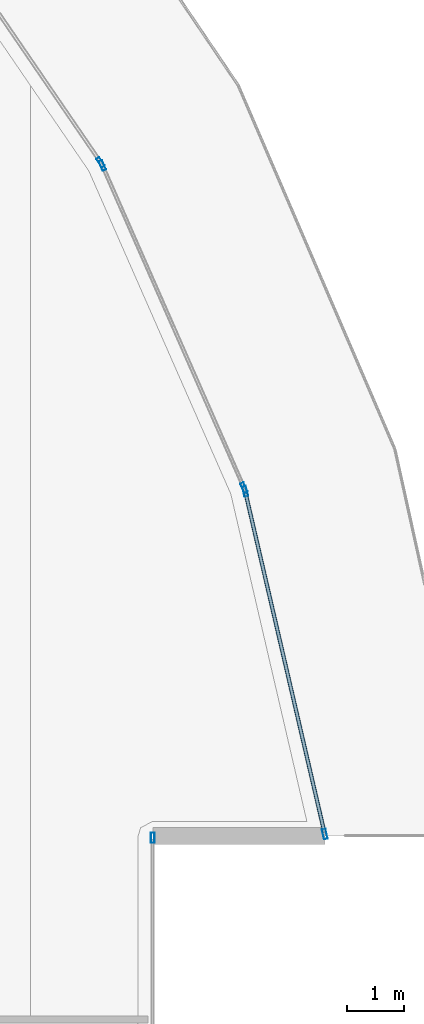
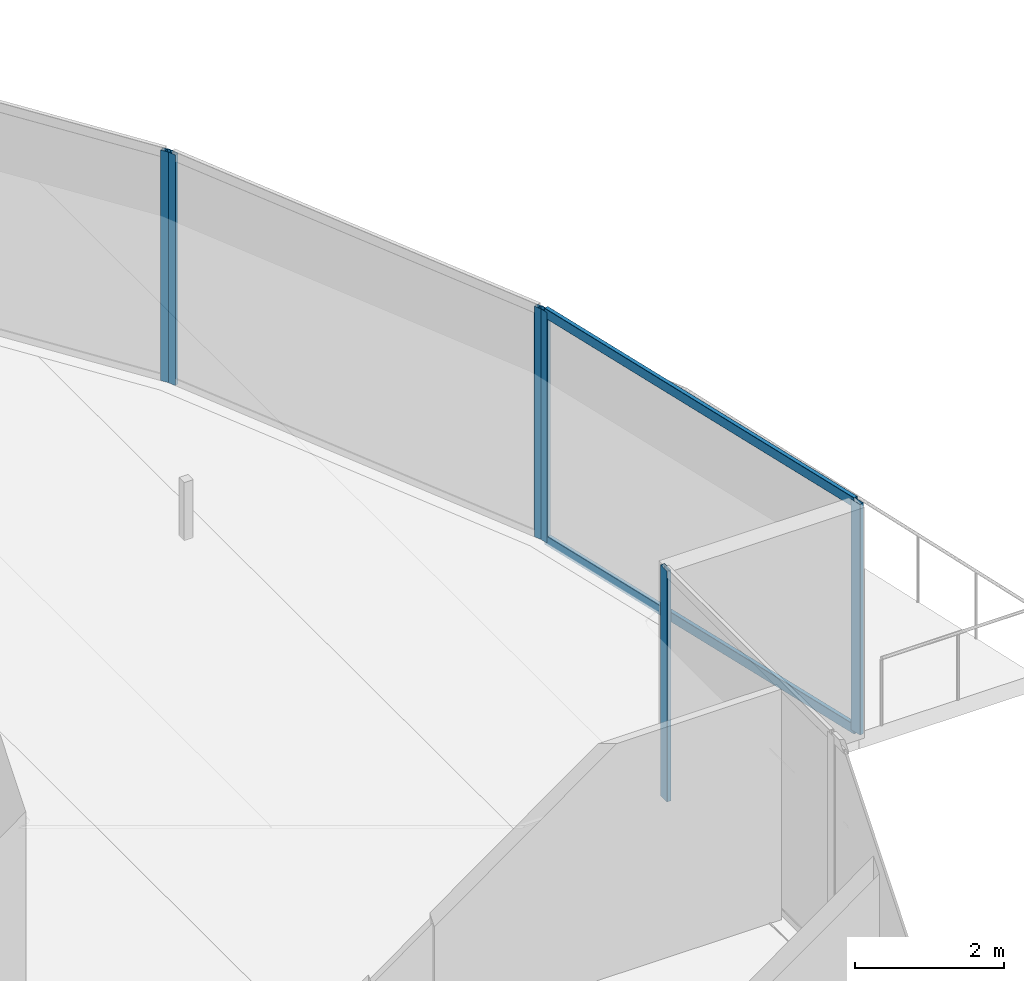
# One storey, part 20 of 39: 8 members, 4 elements without a shape of their own.
"""IFC4 building model written with IfcOpenShell, lengths in metres."""

from ifc_helpers import new_model, si_unit, direction, frame, origin, origin_2d, place, context, subcontext, project, spatial, hollow_rectangle, extrude, material, layer, layer_set, material_profile, profile_set, type_object, element, aggregate, save


model = new_model("IFC4")

# Units and contexts
model_context = context("Model", 3, precision=1e-05, world=origin(), true_north=direction((0.0, 1.0)))
body_context = subcontext(model_context, "Body", "Model", "MODEL_VIEW")
ifc_project = project(units=[si_unit("LENGTHUNIT", "METRE"), si_unit("AREAUNIT", "SQUARE_METRE"), si_unit("VOLUMEUNIT", "CUBIC_METRE"), si_unit("PLANEANGLEUNIT", "RADIAN"), si_unit("MASSUNIT", "GRAM", prefix="KILO")], contexts=[model_context])

# Site, building, storey
site_placement = place(None, origin())
site = spatial("IfcSite", under=ifc_project, at=site_placement, CompositionType="ELEMENT")
building_placement = place(site_placement, origin())
building = spatial("IfcBuilding", under=site, at=building_placement, Name="Qorvath Tower", CompositionType="ELEMENT")
storey_placement = place(building_placement, frame((0.0, 0.0, 201.0)))
storey = spatial("IfcBuildingStorey", under=building, at=storey_placement, Name="L46", CompositionType="ELEMENT", Elevation=201.0)

# Curtain wall, member
ifc_material_1 = material(Name="Anodised aluminium and triple low-E glass", Category="aluminium")
ifc_layer = layer(ifc_material_1, 0.179931640625)
ifc_layer_set = layer_set([ifc_layer], Name="CW-SYS-3")
curtain_wall_type = type_object("IfcCurtainWallType", Name="CW-SYS-3", PredefinedType="NOTDEFINED", material=ifc_layer_set)
curtain_wall_1_placement = place(storey_placement, origin())
curtain_wall_1 = element("IfcCurtainWall", 1, at=curtain_wall_1_placement, inside=storey, type_object=curtain_wall_type, Name="Curtain Wall CW-3 CW-T-L46-9.1", PredefinedType="NOTDEFINED")
ifc_material_2 = material(Name="Anodised aluminium 6063-T6", Category="aluminium")
ifc_material_profile_1 = material_profile(ifc_material_2, hollow_rectangle(XDim=0.06494140625, YDim=0.179931640625, WallThickness=0.00341796875, InnerFilletRadius=0.00341796875, OuterFilletRadius=0.007080078125, at=origin_2d()), Name="CWM 180x65")
ifc_profile_set_1 = profile_set([ifc_material_profile_1], Name="Anodised aluminium 6063-T6")
member_type_1 = type_object("IfcMemberType", Name="CWM-180", PredefinedType="MULLION", material=ifc_profile_set_1)
member_1_placement = place(storey_placement, frame((-1.3291015625, 4.4873046875, 0.0), z_axis=(0.0, 0.0, 1.0), x_axis=(-1.0, 0.0, 0.0)))
member_1 = element("IfcMember", 2, at=member_1_placement, type_object=member_type_1, Name="CW-3 mullion 3", PredefinedType="MULLION", context=body_context, shape_type="SweptSolid", body=[
    extrude(hollow_rectangle(XDim=0.06494140625, YDim=0.179931640625, WallThickness=0.00341796875, InnerFilletRadius=0.00341796875, OuterFilletRadius=0.007080078125, at=origin_2d()), origin(), (0.0, 0.0, 1.0), 3.780029296875),
])
aggregate(curtain_wall_1, [member_1])

# Curtain wall, members
curtain_wall_2_placement = place(storey_placement, origin())
curtain_wall_2 = element("IfcCurtainWall", 3, at=curtain_wall_2_placement, inside=storey, type_object=curtain_wall_type, Name="Curtain Wall CW-3 CW-T-L46-11.1", PredefinedType="NOTDEFINED")
member_2_placement = place(storey_placement, frame((1.6767578125, 4.551513671875, 0.0), z_axis=(0.0, 0.0, 1.0), x_axis=(-0.974064216624, -0.226271743469, 0.0)))
member_2 = element("IfcMember", 4, at=member_2_placement, type_object=member_type_1, Name="CW-3 mullion 1", PredefinedType="MULLION", context=body_context, shape_type="SweptSolid", body=[
    extrude(hollow_rectangle(XDim=0.06494140625, YDim=0.179931640625, WallThickness=0.00341796875, InnerFilletRadius=0.00341796875, OuterFilletRadius=0.007080078125, at=origin_2d()), origin(), (0.0, 0.0, 1.0), 3.780029296875),
])
member_3_placement = place(storey_placement, frame((0.28515625, 10.5419921875, 0.0), z_axis=(0.0, 0.0, 1.0), x_axis=(-0.974064216624, -0.226271743469, 0.0)))
member_3 = element("IfcMember", 5, at=member_3_placement, type_object=member_type_1, Name="CW-3 mullion 2", PredefinedType="MULLION", context=body_context, shape_type="SweptSolid", body=[
    extrude(hollow_rectangle(XDim=0.06494140625, YDim=0.179931640625, WallThickness=0.00341796875, InnerFilletRadius=0.00341796875, OuterFilletRadius=0.007080078125, at=origin_2d()), origin(), (0.0, 0.0, 1.0), 3.780029296875),
])

curtain_wall_3_placement = place(storey_placement, origin())
curtain_wall_3 = element("IfcCurtainWall", 6, at=curtain_wall_3_placement, inside=storey, type_object=curtain_wall_type, Name="Curtain Wall CW-3 CW-T-L46-12.1", PredefinedType="NOTDEFINED")
member_4_placement = place(storey_placement, frame((0.2646484375, 10.603515625, 0.0), z_axis=(0.0, 0.0, 1.0), x_axis=(-0.915498802884, -0.402320695364, 0.0)))
member_4 = element("IfcMember", 7, at=member_4_placement, type_object=member_type_1, Name="CW-3 mullion 1", PredefinedType="MULLION", context=body_context, shape_type="SweptSolid", body=[
    extrude(hollow_rectangle(XDim=0.06494140625, YDim=0.179931640625, WallThickness=0.00341796875, InnerFilletRadius=0.00341796875, OuterFilletRadius=0.007080078125, at=origin_2d()), origin(), (0.0, 0.0, 1.0), 3.780029296875),
])
member_5_placement = place(storey_placement, frame((-2.209716796875, 16.23388671875, 0.0), z_axis=(0.0, 0.0, 1.0), x_axis=(-0.915498802884, -0.402320695364, 0.0)))
member_5 = element("IfcMember", 8, at=member_5_placement, type_object=member_type_1, Name="CW-3 mullion 2", PredefinedType="MULLION", context=body_context, shape_type="SweptSolid", body=[
    extrude(hollow_rectangle(XDim=0.06494140625, YDim=0.179931640625, WallThickness=0.00341796875, InnerFilletRadius=0.00341796875, OuterFilletRadius=0.007080078125, at=origin_2d()), origin(), (0.0, 0.0, 1.0), 3.780029296875),
])
aggregate(curtain_wall_3, [member_4, member_5])

# Curtain wall, member
curtain_wall_4_placement = place(storey_placement, origin())
curtain_wall_4 = element("IfcCurtainWall", 9, at=curtain_wall_4_placement, inside=storey, type_object=curtain_wall_type, Name="Curtain Wall CW-3 CW-T-L46-13.1", PredefinedType="NOTDEFINED")
member_6_placement = place(storey_placement, frame((-2.240966796875, 16.29052734375, 0.0), z_axis=(0.0, 0.0, 1.0), x_axis=(-0.825424850974, -0.56451201528, 0.0)))
member_6 = element("IfcMember", 10, at=member_6_placement, type_object=member_type_1, Name="CW-3 mullion 1", PredefinedType="MULLION", context=body_context, shape_type="SweptSolid", body=[
    extrude(hollow_rectangle(XDim=0.06494140625, YDim=0.179931640625, WallThickness=0.00341796875, InnerFilletRadius=0.00341796875, OuterFilletRadius=0.007080078125, at=origin_2d()), origin(), (0.0, 0.0, 1.0), 3.780029296875),
])
aggregate(curtain_wall_4, [member_6])

# Member
ifc_material_3 = material(Name="Anodised aluminium 6063-T6", Category="aluminium")
ifc_material_profile_2 = material_profile(ifc_material_3, hollow_rectangle(XDim=0.06494140625, YDim=0.159912109375, WallThickness=0.00341796875, InnerFilletRadius=0.00341796875, OuterFilletRadius=0.007080078125, at=origin_2d()), Name="CWT 160x65")
ifc_profile_set_2 = profile_set([ifc_material_profile_2], Name="Anodised aluminium 6063-T6")
member_type_2 = type_object("IfcMemberType", Name="CWT-160", PredefinedType="USERDEFINED", material=ifc_profile_set_2)
member_7_placement = place(storey_placement, frame((1.66943359375, 4.5830078125, 0.032470703125), z_axis=(-0.226274499404, 0.974063576426, 0.0), x_axis=(-0.974063576426, -0.226274499404, 0.0)))
member_7 = element("IfcMember", 11, at=member_7_placement, type_object=member_type_2, Name="CW-3 transom 1.1", ObjectType="TRANSOM", PredefinedType="USERDEFINED", context=body_context, shape_type="SweptSolid", body=[
    extrude(hollow_rectangle(XDim=0.06494140625, YDim=0.159912109375, WallThickness=0.00341796875, InnerFilletRadius=0.00341796875, OuterFilletRadius=0.007080078125, at=origin_2d()), origin(), (0.0, 0.0, 1.0), 6.085205078125),
])

member_8_placement = place(storey_placement, frame((1.66943359375, 4.5830078125, 3.74755859375), z_axis=(-0.226274499404, 0.974063576426, 0.0), x_axis=(-0.974063576426, -0.226274499404, 0.0)))
member_8 = element("IfcMember", 12, at=member_8_placement, type_object=member_type_2, Name="CW-3 transom 1.2", ObjectType="TRANSOM", PredefinedType="USERDEFINED", context=body_context, shape_type="SweptSolid", body=[
    extrude(hollow_rectangle(XDim=0.06494140625, YDim=0.159912109375, WallThickness=0.00341796875, InnerFilletRadius=0.00341796875, OuterFilletRadius=0.007080078125, at=origin_2d()), origin(), (0.0, 0.0, 1.0), 6.085205078125),
])

aggregate(curtain_wall_2, [member_2, member_3, member_7, member_8])

save(model, "model.ifc")
